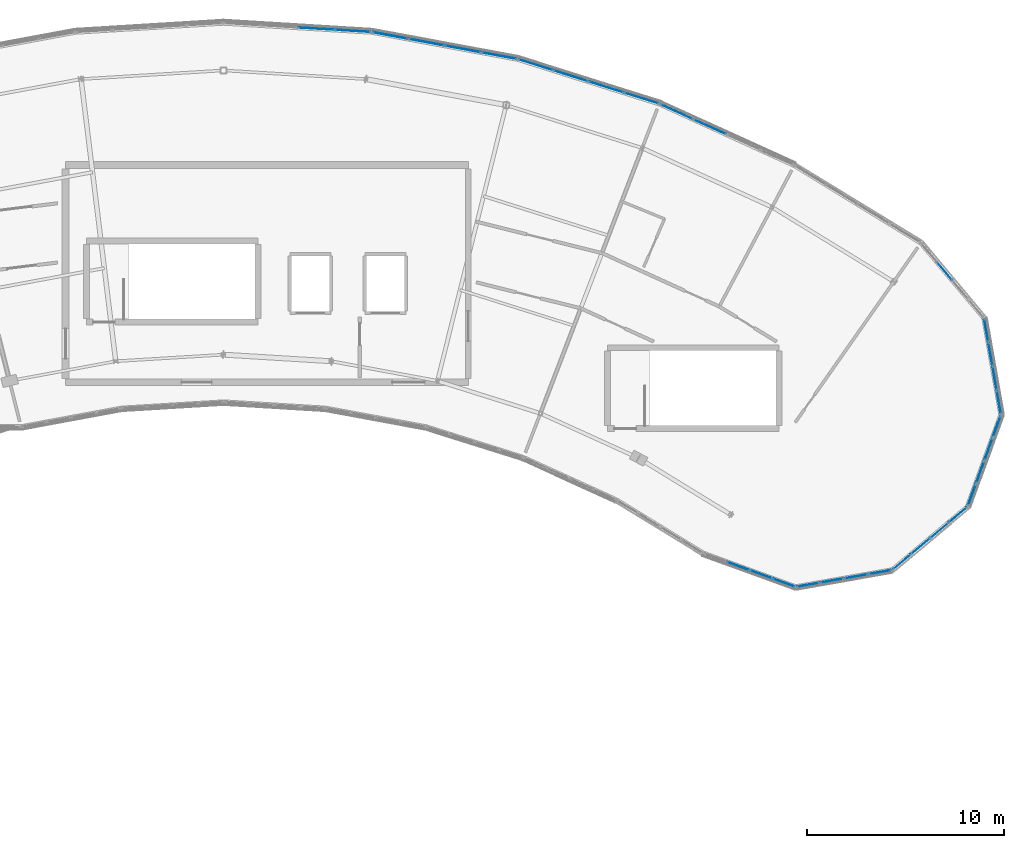
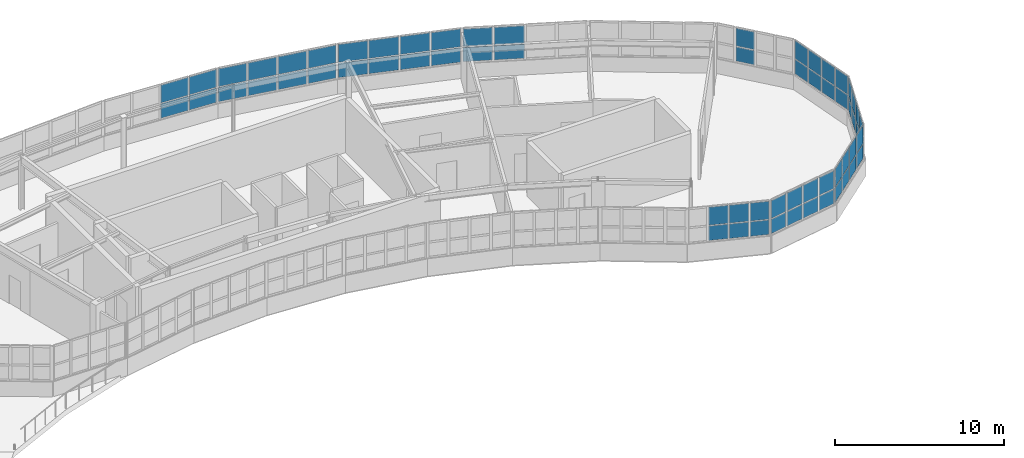
# One storey, part 18 of 26: 64 plates, 10 elements without a shape of their own.
"""IFC4 building model written with IfcOpenShell, lengths in metres."""

import ifcopenshell
import ifcopenshell.guid

model = None  # the IFC model being written
_history = None  # IfcOwnerHistory: only IFC2X3 demands one
_inside = {}  # id of a spatial element -> (the spatial element, [elements in it])
_under = {}  # id of a project, library or spatial element -> (it, [spatial elements below it])
_declared = {}  # id of a project -> (the project, [libraries it declares])
_typed = {}  # id of a type object -> (the type object, [elements of that type])
_made_of = {}  # id of a material, layer set ... -> (it, [elements and type objects made of it])


def new_model(schema):
    """Start an empty IFC model of exactly this schema.

    Asked for "IFC4X3", IfcOpenShell would pick the latest addendum, in which some entities
    have other attributes; the version numbers below select the first issue.
    IFC2X3 requires an IfcOwnerHistory on every rooted entity: one is made here for all.
    """
    global model, _history
    if schema == "IFC4X3":
        model = ifcopenshell.file(schema_version=(4, 3, 0, 0))
    else:
        model = ifcopenshell.file(schema=schema)
    _inside.clear()
    _under.clear()
    _declared.clear()
    _typed.clear()
    _made_of.clear()
    _history = None
    if model.schema == "IFC2X3":
        org = make("IfcOrganization", Name="unknown")
        user = make(
            "IfcPersonAndOrganization",
            ThePerson=make("IfcPerson", FamilyName="unknown"),
            TheOrganization=org,
        )
        app = make(
            "IfcApplication",
            ApplicationDeveloper=org,
            Version="unknown",
            ApplicationFullName="unknown",
            ApplicationIdentifier="unknown",
        )
        _history = make(
            "IfcOwnerHistory",
            OwningUser=user,
            OwningApplication=app,
            ChangeAction="ADDED",
            CreationDate=0,
        )
    return model


def make(cls, **values):
    """One entity of the class cls with the attributes given. An attribute that is None is left unset."""
    return model.create_entity(
        cls, **{name: value for name, value in values.items() if value is not None}
    )


def rooted(cls, **values):
    """An entity with a GlobalId (a new one), such as an element, a storey or a relation."""
    return make(cls, GlobalId=ifcopenshell.guid.new(), OwnerHistory=_history, **values)


def si_unit(unit_type, name, prefix=None):
    """IfcSIUnit, for example si_unit("LENGTHUNIT", "METRE", prefix="MILLI")."""
    return make("IfcSIUnit", UnitType=unit_type, Prefix=prefix, Name=name)


def assignment(units):
    """IfcUnitAssignment: the units of a project."""
    return None if units is None else make("IfcUnitAssignment", Units=units)


def point(xyz):
    """IfcCartesianPoint."""
    return None if xyz is None else make("IfcCartesianPoint", Coordinates=xyz)


def direction(xyz):
    """IfcDirection."""
    return None if xyz is None else make("IfcDirection", DirectionRatios=xyz)


def frame(location, z_axis=None, x_axis=None):
    """IfcAxis2Placement3D, a coordinate frame: its origin and axes. An axis left out is left unset."""
    return make(
        "IfcAxis2Placement3D",
        Location=point(location),
        Axis=direction(z_axis),
        RefDirection=direction(x_axis),
    )


def frame_2d(location, x_axis=None):
    """IfcAxis2Placement2D, a coordinate frame in the plane: its origin and x axis."""
    return make(
        "IfcAxis2Placement2D", Location=point(location), RefDirection=direction(x_axis)
    )


def origin():
    """The frame at (0, 0, 0) with its axes left unset."""
    return frame((0.0, 0.0, 0.0))


def origin_2d():
    """The frame at (0, 0) in the plane with its x axis left unset."""
    return frame_2d((0.0, 0.0))


def place(relative_to, where):
    """IfcLocalPlacement: puts the frame where relative to a parent placement (None: the world)."""
    return make(
        "IfcLocalPlacement", PlacementRelTo=relative_to, RelativePlacement=where
    )


def context(
    kind, dimensions, precision=None, world=None, true_north=None, identifier=None
):
    """IfcGeometricRepresentationContext, for example the 3D "Model" context."""
    return make(
        "IfcGeometricRepresentationContext",
        ContextIdentifier=identifier,
        ContextType=kind,
        CoordinateSpaceDimension=dimensions,
        Precision=precision,
        WorldCoordinateSystem=world,
        TrueNorth=true_north,
    )


def subcontext(parent, identifier, kind, view, scale=None):
    """IfcGeometricRepresentationSubContext, for example "Body" below "Model"."""
    return make(
        "IfcGeometricRepresentationSubContext",
        ContextIdentifier=identifier,
        ContextType=kind,
        ParentContext=parent,
        TargetScale=scale,
        TargetView=view,
    )


def project(units=None, contexts=None):
    """IfcProject with its units and contexts."""
    return rooted(
        "IfcProject",
        Name="project",
        RepresentationContexts=contexts,
        UnitsInContext=assignment(units),
    )


def spatial(cls, under=None, at=None, **own):
    """A site, building, storey or space (cls), placed at a placement, below another one or the project."""
    s = rooted(cls, ObjectPlacement=at, **own)
    if under is not None:
        _under.setdefault(under.id(), (under, []))[1].append(s)
    return s


def profile(cls, at=None, kind="AREA", **sizes):
    """A parametric profile (cls). Its sizes go by their IFC names, for example OverallWidth=200.0."""
    return make(cls, ProfileType=kind, Position=at, **sizes)


def rectangle(**sizes):
    """IfcRectangleProfileDef."""
    return profile("IfcRectangleProfileDef", **sizes)


def extrude(swept, where, along, depth):
    """IfcExtrudedAreaSolid: the profile swept, set in the frame where, extruded along a direction by depth."""
    return make(
        "IfcExtrudedAreaSolid",
        SweptArea=swept,
        Position=where,
        ExtrudedDirection=direction(along),
        Depth=depth,
    )


def shape(context_of_items, identifier, shape_type, items):
    """IfcShapeRepresentation: the items that make up one representation, for example the "Body"."""
    return make(
        "IfcShapeRepresentation",
        ContextOfItems=context_of_items,
        RepresentationIdentifier=identifier,
        RepresentationType=shape_type,
        Items=items,
    )


def material(Name=None, Category=None):
    """IfcMaterial."""
    return make("IfcMaterial", Name=Name, Category=Category)


def layer(
    of_material, thickness, ventilated=None, Name=None, Category=None, Priority=None
):
    """IfcMaterialLayer: one layer of a wall or slab, of a material (None: an air gap)."""
    return make(
        "IfcMaterialLayer",
        Material=of_material,
        LayerThickness=thickness,
        IsVentilated=ventilated,
        Name=Name,
        Category=Category,
        Priority=Priority,
    )


def layer_set(layers, Name=None):
    """IfcMaterialLayerSet."""
    return make("IfcMaterialLayerSet", MaterialLayers=layers, LayerSetName=Name)


def made_of(thing, what):
    """Note that an element or type object is made of a material, layer set ...; save() writes the relation."""
    if what is not None:
        _made_of.setdefault(what.id(), (what, []))[1].append(thing)
    return thing


def type_object(cls, material=None, **own):
    """A type object (cls), such as IfcWallType, which elements share."""
    return made_of(rooted(cls, **own), material)


def element(
    cls,
    number,
    at=None,
    inside=None,
    cuts=None,
    type_object=None,
    material=None,
    context=None,
    identifier="Body",
    shape_type=None,
    held_by="IfcProductDefinitionShape",
    body=None,
    shapes=None,
    **own,
):
    """One element of the class cls, such as IfcWall. Its Tag is "e" and its number.

    at: its placement. inside: the storey or other place that contains it. cuts: it is an
    opening in that element (IfcRelVoidsElement). A single representation is given by context,
    identifier, shape_type and body (its items); several are given by shapes. held_by: the class
    of the entity that holds the representations. save() writes the other relations.
    """
    e = rooted(cls, Tag="e%d" % number, ObjectPlacement=at, **own)
    if body is not None:
        shapes = [shape(context, identifier, shape_type, body)]
    if shapes is not None:
        e.Representation = make(held_by, Representations=shapes)
    if inside is not None:
        _inside.setdefault(inside.id(), (inside, []))[1].append(e)
    if cuts is not None:
        rooted(
            "IfcRelVoidsElement", RelatingBuildingElement=cuts, RelatedOpeningElement=e
        )
    if type_object is not None:
        _typed.setdefault(type_object.id(), (type_object, []))[1].append(e)
    return made_of(e, material)


def aggregate(whole, parts):
    """IfcRelAggregates: a whole, such as a stair, and the parts it consists of."""
    return rooted("IfcRelAggregates", RelatingObject=whole, RelatedObjects=parts)


def save(model, path):
    """Write the relations noted so far, then the file.

    IfcRelAggregates (storeys below a building ...), IfcRelContainedInSpatialStructure (elements
    in a storey), IfcRelDefinesByType, IfcRelAssociatesMaterial and IfcRelDeclares: one each for
    every whole, place, type object, material and project.
    """
    for whole, parts in _under.values():
        aggregate(whole, parts)
    for where, things in _inside.values():
        rooted(
            "IfcRelContainedInSpatialStructure",
            RelatedElements=things,
            RelatingStructure=where,
        )
    for kind, things in _typed.values():
        rooted("IfcRelDefinesByType", RelatedObjects=things, RelatingType=kind)
    for what, things in _made_of.values():
        rooted("IfcRelAssociatesMaterial", RelatedObjects=things, RelatingMaterial=what)
    for by, libraries in _declared.values():
        rooted("IfcRelDeclares", RelatingContext=by, RelatedDefinitions=libraries)
    model.write(path)


model = new_model("IFC4")

# Units and contexts
model_context = context("Model", 3, precision=1e-05, world=origin(), true_north=direction((0.0, 1.0)))
body_context = subcontext(model_context, "Body", "Model", "MODEL_VIEW")
ifc_project = project(units=[si_unit("LENGTHUNIT", "METRE"), si_unit("AREAUNIT", "SQUARE_METRE"), si_unit("VOLUMEUNIT", "CUBIC_METRE"), si_unit("PLANEANGLEUNIT", "RADIAN"), si_unit("MASSUNIT", "GRAM", prefix="KILO")], contexts=[model_context])

# Site, building, storey
site_placement = place(None, origin())
site = spatial("IfcSite", under=ifc_project, at=site_placement, CompositionType="ELEMENT")
building_placement = place(site_placement, origin())
building = spatial("IfcBuilding", under=site, at=building_placement, Name="Tarnwether General Hospital", CompositionType="ELEMENT")
storey_placement = place(building_placement, frame((0.0, 0.0, 30.0)))
storey = spatial("IfcBuildingStorey", under=building, at=storey_placement, Name="L07", CompositionType="ELEMENT", Elevation=30.0)

# Curtain wall, plates
ifc_material_1 = material(Name="Anodised aluminium", Category="aluminium")
ifc_layer_1 = layer(ifc_material_1, 0.159912109375)
ifc_layer_set_1 = layer_set([ifc_layer_1], Name="Anodised aluminium")
curtain_wall_type_1 = type_object("IfcCurtainWallType", Name="CW-03", PredefinedType="NOTDEFINED", material=ifc_layer_set_1)
curtain_wall_1_placement = place(storey_placement, origin())
curtain_wall_1 = element("IfcCurtainWall", 1, at=curtain_wall_1_placement, inside=storey, type_object=curtain_wall_type_1, Name="Curtain Wall CWG-L07-1259_969-0141", PredefinedType="NOTDEFINED")
ifc_material_2 = material(Name="Double glazed low-E glass", Category="glass")
ifc_layer_2 = layer(ifc_material_2, 0.028076171875)
ifc_layer_set_2 = layer_set([ifc_layer_2], Name="Double glazed low-E glass")
plate_type_1 = type_object("IfcPlateType", Name="PT-CWP1", PredefinedType="CURTAIN_PANEL", material=ifc_layer_set_2)
plate_1_placement = place(storey_placement, frame((125.25390625, 96.7841796875, 1.1201171875), z_axis=(0.0, 0.0, 1.0), x_axis=(-0.984805834268, -0.173659059054, 0.0)))
plate_1 = element("IfcPlate", 2, at=plate_1_placement, type_object=plate_type_1, Name="CW-03 panel 1.1", PredefinedType="CURTAIN_PANEL", context=body_context, shape_type="SweptSolid", body=[
    extrude(rectangle(XDim=1.137451171875, YDim=0.028076171875, at=origin_2d()), origin(), (0.0, 0.0, 1.0), 1.029052734375),
])
plate_2_placement = place(storey_placement, frame((125.25390625, 96.7841796875, 2.21923828125), z_axis=(0.0, 0.0, 1.0), x_axis=(-0.984805834268, -0.173659059054, 0.0)))
plate_2 = element("IfcPlate", 3, at=plate_2_placement, type_object=plate_type_1, Name="CW-03 panel 1.2", PredefinedType="CURTAIN_PANEL", context=body_context, shape_type="SweptSolid", body=[
    extrude(rectangle(XDim=1.137451171875, YDim=0.028076171875, at=origin_2d()), origin(), (0.0, 0.0, 1.0), 1.281005859375),
])
plate_3_placement = place(storey_placement, frame((124.0478515625, 96.5712890625, 1.1201171875), z_axis=(0.0, 0.0, 1.0), x_axis=(-0.984805834268, -0.173659059054, 0.0)))
plate_3 = element("IfcPlate", 4, at=plate_3_placement, type_object=plate_type_1, Name="CW-03 panel 2.1", PredefinedType="CURTAIN_PANEL", context=body_context, shape_type="SweptSolid", body=[
    extrude(rectangle(XDim=1.17236328125, YDim=0.028076171875, at=origin_2d()), origin(), (0.0, 0.0, 1.0), 1.029052734375),
])
plate_4_placement = place(storey_placement, frame((124.0478515625, 96.5712890625, 2.21923828125), z_axis=(0.0, 0.0, 1.0), x_axis=(-0.984805834268, -0.173659059054, 0.0)))
plate_4 = element("IfcPlate", 5, at=plate_4_placement, type_object=plate_type_1, Name="CW-03 panel 2.2", PredefinedType="CURTAIN_PANEL", context=body_context, shape_type="SweptSolid", body=[
    extrude(rectangle(XDim=1.17236328125, YDim=0.028076171875, at=origin_2d()), origin(), (0.0, 0.0, 1.0), 1.281005859375),
])
plate_5_placement = place(storey_placement, frame((122.82421875, 96.355712890625, 1.1201171875), z_axis=(0.0, 0.0, 1.0), x_axis=(-0.984805834268, -0.173659059054, 0.0)))
plate_5 = element("IfcPlate", 6, at=plate_5_placement, type_object=plate_type_1, Name="CW-03 panel 3.1", PredefinedType="CURTAIN_PANEL", context=body_context, shape_type="SweptSolid", body=[
    extrude(rectangle(XDim=1.17236328125, YDim=0.028076171875, at=origin_2d()), origin(), (0.0, 0.0, 1.0), 1.029052734375),
])
plate_6_placement = place(storey_placement, frame((122.82421875, 96.355712890625, 2.21923828125), z_axis=(0.0, 0.0, 1.0), x_axis=(-0.984805834268, -0.173659059054, 0.0)))
plate_6 = element("IfcPlate", 7, at=plate_6_placement, type_object=plate_type_1, Name="CW-03 panel 3.2", PredefinedType="CURTAIN_PANEL", context=body_context, shape_type="SweptSolid", body=[
    extrude(rectangle(XDim=1.17236328125, YDim=0.028076171875, at=origin_2d()), origin(), (0.0, 0.0, 1.0), 1.281005859375),
])
plate_7_placement = place(storey_placement, frame((121.617919921875, 96.142822265625, 1.1201171875), z_axis=(0.0, 0.0, 1.0), x_axis=(-0.984805834268, -0.173659059054, 0.0)))
plate_7 = element("IfcPlate", 8, at=plate_7_placement, type_object=plate_type_1, Name="CW-03 panel 4.1", PredefinedType="CURTAIN_PANEL", context=body_context, shape_type="SweptSolid", body=[
    extrude(rectangle(XDim=1.137451171875, YDim=0.028076171875, at=origin_2d()), origin(), (0.0, 0.0, 1.0), 1.029052734375),
])
plate_8_placement = place(storey_placement, frame((121.617919921875, 96.142822265625, 2.21923828125), z_axis=(0.0, 0.0, 1.0), x_axis=(-0.984805834268, -0.173659059054, 0.0)))
plate_8 = element("IfcPlate", 9, at=plate_8_placement, type_object=plate_type_1, Name="CW-03 panel 4.2", PredefinedType="CURTAIN_PANEL", context=body_context, shape_type="SweptSolid", body=[
    extrude(rectangle(XDim=1.137451171875, YDim=0.028076171875, at=origin_2d()), origin(), (0.0, 0.0, 1.0), 1.281005859375),
])
aggregate(curtain_wall_1, [plate_1, plate_2, plate_3, plate_4, plate_5, plate_6, plate_7, plate_8])

curtain_wall_2_placement = place(storey_placement, origin())
curtain_wall_2 = element("IfcCurtainWall", 10, at=curtain_wall_2_placement, inside=storey, type_object=curtain_wall_type_1, Name="Curtain Wall CWG-L07-1297_1001-0142", PredefinedType="NOTDEFINED")
plate_9_placement = place(storey_placement, frame((129.20166015625, 99.68017578125, 1.114990234375), z_axis=(0.0, 0.0, 1.0), x_axis=(-0.765990176896, -0.64285227611, 0.0)))
plate_9 = element("IfcPlate", 11, at=plate_9_placement, type_object=plate_type_1, Name="CW-03 panel 1.1", PredefinedType="CURTAIN_PANEL", context=body_context, shape_type="SweptSolid", body=[
    extrude(rectangle(XDim=1.14501953125, YDim=0.028076171875, at=origin_2d()), origin(), (0.0, 0.0, 1.0), 1.03662109375),
])
plate_10_placement = place(storey_placement, frame((129.20166015625, 99.68017578125, 2.216552734375), z_axis=(0.0, 0.0, 1.0), x_axis=(-0.765990176896, -0.64285227611, 0.0)))
plate_10 = element("IfcPlate", 12, at=plate_10_placement, type_object=plate_type_1, Name="CW-03 panel 1.2", PredefinedType="CURTAIN_PANEL", context=body_context, shape_type="SweptSolid", body=[
    extrude(rectangle(XDim=1.14501953125, YDim=0.028076171875, at=origin_2d()), origin(), (0.0, 0.0, 1.0), 1.28857421875),
])
plate_11_placement = place(storey_placement, frame((128.262451171875, 98.891845703125, 1.114990234375), z_axis=(0.0, 0.0, 1.0), x_axis=(-0.765990176896, -0.64285227611, 0.0)))
plate_11 = element("IfcPlate", 13, at=plate_11_placement, type_object=plate_type_1, Name="CW-03 panel 2.1", PredefinedType="CURTAIN_PANEL", context=body_context, shape_type="SweptSolid", body=[
    extrude(rectangle(XDim=1.177490234375, YDim=0.028076171875, at=origin_2d()), origin(), (0.0, 0.0, 1.0), 1.03662109375),
])
plate_12_placement = place(storey_placement, frame((128.262451171875, 98.891845703125, 2.216552734375), z_axis=(0.0, 0.0, 1.0), x_axis=(-0.765990176896, -0.64285227611, 0.0)))
plate_12 = element("IfcPlate", 14, at=plate_12_placement, type_object=plate_type_1, Name="CW-03 panel 2.2", PredefinedType="CURTAIN_PANEL", context=body_context, shape_type="SweptSolid", body=[
    extrude(rectangle(XDim=1.177490234375, YDim=0.028076171875, at=origin_2d()), origin(), (0.0, 0.0, 1.0), 1.28857421875),
])
plate_13_placement = place(storey_placement, frame((127.310546875, 98.093017578125, 1.114990234375), z_axis=(0.0, 0.0, 1.0), x_axis=(-0.765990176896, -0.64285227611, 0.0)))
plate_13 = element("IfcPlate", 15, at=plate_13_placement, type_object=plate_type_1, Name="CW-03 panel 3.1", PredefinedType="CURTAIN_PANEL", context=body_context, shape_type="SweptSolid", body=[
    extrude(rectangle(XDim=1.177490234375, YDim=0.028076171875, at=origin_2d()), origin(), (0.0, 0.0, 1.0), 1.03662109375),
])
plate_14_placement = place(storey_placement, frame((127.310546875, 98.093017578125, 2.216552734375), z_axis=(0.0, 0.0, 1.0), x_axis=(-0.765990176896, -0.64285227611, 0.0)))
plate_14 = element("IfcPlate", 16, at=plate_14_placement, type_object=plate_type_1, Name="CW-03 panel 3.2", PredefinedType="CURTAIN_PANEL", context=body_context, shape_type="SweptSolid", body=[
    extrude(rectangle(XDim=1.177490234375, YDim=0.028076171875, at=origin_2d()), origin(), (0.0, 0.0, 1.0), 1.28857421875),
])
plate_15_placement = place(storey_placement, frame((126.371337890625, 97.304931640625, 1.114990234375), z_axis=(0.0, 0.0, 1.0), x_axis=(-0.765990176896, -0.64285227611, 0.0)))
plate_15 = element("IfcPlate", 17, at=plate_15_placement, type_object=plate_type_1, Name="CW-03 panel 4.1", PredefinedType="CURTAIN_PANEL", context=body_context, shape_type="SweptSolid", body=[
    extrude(rectangle(XDim=1.14501953125, YDim=0.028076171875, at=origin_2d()), origin(), (0.0, 0.0, 1.0), 1.03662109375),
])
plate_16_placement = place(storey_placement, frame((126.371337890625, 97.304931640625, 2.216552734375), z_axis=(0.0, 0.0, 1.0), x_axis=(-0.765990176896, -0.64285227611, 0.0)))
plate_16 = element("IfcPlate", 18, at=plate_16_placement, type_object=plate_type_1, Name="CW-03 panel 4.2", PredefinedType="CURTAIN_PANEL", context=body_context, shape_type="SweptSolid", body=[
    extrude(rectangle(XDim=1.14501953125, YDim=0.028076171875, at=origin_2d()), origin(), (0.0, 0.0, 1.0), 1.28857421875),
])
aggregate(curtain_wall_2, [plate_9, plate_10, plate_11, plate_12, plate_13, plate_14, plate_15, plate_16])

curtain_wall_3_placement = place(storey_placement, origin())
curtain_wall_3 = element("IfcCurtainWall", 19, at=curtain_wall_3_placement, inside=storey, type_object=curtain_wall_type_1, Name="Curtain Wall CWG-L07-1305_1097-0144", PredefinedType="NOTDEFINED")
plate_17_placement = place(storey_placement, frame((130.637451171875, 109.0263671875, 1.110107421875), z_axis=(0.0, 0.0, 1.0), x_axis=(0.173463890135, -0.984840230098, 0.0)))
plate_17 = element("IfcPlate", 20, at=plate_17_placement, type_object=plate_type_1, Name="CW-03 panel 1.1", PredefinedType="CURTAIN_PANEL", context=body_context, shape_type="SweptSolid", body=[
    extrude(rectangle(XDim=1.15234375, YDim=0.028076171875, at=origin_2d()), origin(), (0.0, 0.0, 1.0), 1.0439453125),
])
plate_18_placement = place(storey_placement, frame((130.637451171875, 109.0263671875, 2.214111328125), z_axis=(0.0, 0.0, 1.0), x_axis=(0.173463890135, -0.984840230098, 0.0)))
plate_18 = element("IfcPlate", 21, at=plate_18_placement, type_object=plate_type_1, Name="CW-03 panel 1.2", PredefinedType="CURTAIN_PANEL", context=body_context, shape_type="SweptSolid", body=[
    extrude(rectangle(XDim=1.15234375, YDim=0.028076171875, at=origin_2d()), origin(), (0.0, 0.0, 1.0), 1.2958984375),
])
plate_19_placement = place(storey_placement, frame((130.850341796875, 107.81787109375, 1.110107421875), z_axis=(0.0, 0.0, 1.0), x_axis=(0.173463890135, -0.984840230098, 0.0)))
plate_19 = element("IfcPlate", 22, at=plate_19_placement, type_object=plate_type_1, Name="CW-03 panel 2.1", PredefinedType="CURTAIN_PANEL", context=body_context, shape_type="SweptSolid", body=[
    extrude(rectangle(XDim=1.182373046875, YDim=0.028076171875, at=origin_2d()), origin(), (0.0, 0.0, 1.0), 1.0439453125),
])
plate_20_placement = place(storey_placement, frame((130.850341796875, 107.81787109375, 2.214111328125), z_axis=(0.0, 0.0, 1.0), x_axis=(0.173463890135, -0.984840230098, 0.0)))
plate_20 = element("IfcPlate", 23, at=plate_20_placement, type_object=plate_type_1, Name="CW-03 panel 2.2", PredefinedType="CURTAIN_PANEL", context=body_context, shape_type="SweptSolid", body=[
    extrude(rectangle(XDim=1.182373046875, YDim=0.028076171875, at=origin_2d()), origin(), (0.0, 0.0, 1.0), 1.2958984375),
])
plate_21_placement = place(storey_placement, frame((131.065673828125, 106.59423828125, 1.110107421875), z_axis=(0.0, 0.0, 1.0), x_axis=(0.173463890135, -0.984840230098, 0.0)))
plate_21 = element("IfcPlate", 24, at=plate_21_placement, type_object=plate_type_1, Name="CW-03 panel 3.1", PredefinedType="CURTAIN_PANEL", context=body_context, shape_type="SweptSolid", body=[
    extrude(rectangle(XDim=1.182373046875, YDim=0.028076171875, at=origin_2d()), origin(), (0.0, 0.0, 1.0), 1.0439453125),
])
plate_22_placement = place(storey_placement, frame((131.065673828125, 106.59423828125, 2.214111328125), z_axis=(0.0, 0.0, 1.0), x_axis=(0.173463890135, -0.984840230098, 0.0)))
plate_22 = element("IfcPlate", 25, at=plate_22_placement, type_object=plate_type_1, Name="CW-03 panel 3.2", PredefinedType="CURTAIN_PANEL", context=body_context, shape_type="SweptSolid", body=[
    extrude(rectangle(XDim=1.182373046875, YDim=0.028076171875, at=origin_2d()), origin(), (0.0, 0.0, 1.0), 1.2958984375),
])
plate_23_placement = place(storey_placement, frame((131.278564453125, 105.385498046875, 1.110107421875), z_axis=(0.0, 0.0, 1.0), x_axis=(0.173463890135, -0.984840230098, 0.0)))
plate_23 = element("IfcPlate", 26, at=plate_23_placement, type_object=plate_type_1, Name="CW-03 panel 4.1", PredefinedType="CURTAIN_PANEL", context=body_context, shape_type="SweptSolid", body=[
    extrude(rectangle(XDim=1.15234375, YDim=0.028076171875, at=origin_2d()), origin(), (0.0, 0.0, 1.0), 1.0439453125),
])
plate_24_placement = place(storey_placement, frame((131.278564453125, 105.385498046875, 2.214111328125), z_axis=(0.0, 0.0, 1.0), x_axis=(0.173463890135, -0.984840230098, 0.0)))
plate_24 = element("IfcPlate", 27, at=plate_24_placement, type_object=plate_type_1, Name="CW-03 panel 4.2", PredefinedType="CURTAIN_PANEL", context=body_context, shape_type="SweptSolid", body=[
    extrude(rectangle(XDim=1.15234375, YDim=0.028076171875, at=origin_2d()), origin(), (0.0, 0.0, 1.0), 1.2958984375),
])
aggregate(curtain_wall_3, [plate_17, plate_18, plate_19, plate_20, plate_21, plate_22, plate_23, plate_24])

curtain_wall_4_placement = place(storey_placement, origin())
curtain_wall_4 = element("IfcCurtainWall", 28, at=curtain_wall_4_placement, inside=storey, type_object=curtain_wall_type_1, Name="Curtain Wall CWG-L07-1273_1135-0145", PredefinedType="NOTDEFINED")
plate_25_placement = place(storey_placement, frame((128.530029296875, 112.032470703125, 1.1201171875), z_axis=(0.0, 0.0, 1.0), x_axis=(0.64285227611, -0.765990176896, 0.0)))
plate_25 = element("IfcPlate", 29, at=plate_25_placement, type_object=plate_type_1, Name="CW-03 panel 2.1", PredefinedType="CURTAIN_PANEL", context=body_context, shape_type="SweptSolid", body=[
    extrude(rectangle(XDim=1.172607421875, YDim=0.028076171875, at=origin_2d()), origin(), (0.0, 0.0, 1.0), 1.029052734375),
])
plate_26_placement = place(storey_placement, frame((128.530029296875, 112.032470703125, 2.21923828125), z_axis=(0.0, 0.0, 1.0), x_axis=(0.64285227611, -0.765990176896, 0.0)))
plate_26 = element("IfcPlate", 30, at=plate_26_placement, type_object=plate_type_1, Name="CW-03 panel 2.2", PredefinedType="CURTAIN_PANEL", context=body_context, shape_type="SweptSolid", body=[
    extrude(rectangle(XDim=1.172607421875, YDim=0.028076171875, at=origin_2d()), origin(), (0.0, 0.0, 1.0), 1.281005859375),
])
aggregate(curtain_wall_4, [plate_25, plate_26])

ifc_material_3 = material(Name="Anodised aluminium", Category="aluminium")
ifc_layer_3 = layer(ifc_material_3, 0.179931640625)
ifc_layer_set_3 = layer_set([ifc_layer_3], Name="Anodised aluminium")
curtain_wall_type_2 = type_object("IfcCurtainWallType", Name="CW-07", PredefinedType="NOTDEFINED", material=ifc_layer_set_3)
curtain_wall_5_placement = place(storey_placement, origin())
curtain_wall_5 = element("IfcCurtainWall", 31, at=curtain_wall_5_placement, inside=storey, type_object=curtain_wall_type_2, Name="Curtain Wall CWG-L07-1141_1205-0147", PredefinedType="NOTDEFINED")
plate_27_placement = place(storey_placement, frame((114.94873046875, 120.11083984375, 1.1298828125), z_axis=(0.0, 0.0, 1.0), x_axis=(0.909960793886, -0.414694289316, 0.0)))
plate_27 = element("IfcPlate", 32, at=plate_27_placement, type_object=plate_type_1, Name="CW-07 panel 1.1", PredefinedType="CURTAIN_PANEL", context=body_context, shape_type="SweptSolid", body=[
    extrude(rectangle(XDim=1.76025390625, YDim=0.028076171875, at=origin_2d()), origin(), (0.0, 0.0, 1.0), 1.013916015625),
])
plate_28_placement = place(storey_placement, frame((114.94873046875, 120.11083984375, 2.223876953125), z_axis=(0.0, 0.0, 1.0), x_axis=(0.909960793886, -0.414694289316, 0.0)))
plate_28 = element("IfcPlate", 33, at=plate_28_placement, type_object=plate_type_1, Name="CW-07 panel 1.2", PredefinedType="CURTAIN_PANEL", context=body_context, shape_type="SweptSolid", body=[
    extrude(rectangle(XDim=1.76025390625, YDim=0.028076171875, at=origin_2d()), origin(), (0.0, 0.0, 1.0), 1.26611328125),
])
plate_29_placement = place(storey_placement, frame((116.6416015625, 119.33935546875, 1.1298828125), z_axis=(0.0, 0.0, 1.0), x_axis=(0.909960793886, -0.414694289316, 0.0)))
plate_29 = element("IfcPlate", 34, at=plate_29_placement, type_object=plate_type_1, Name="CW-07 panel 2.1", PredefinedType="CURTAIN_PANEL", context=body_context, shape_type="SweptSolid", body=[
    extrude(rectangle(XDim=1.80029296875, YDim=0.028076171875, at=origin_2d()), origin(), (0.0, 0.0, 1.0), 1.013916015625),
])
plate_30_placement = place(storey_placement, frame((116.6416015625, 119.33935546875, 2.223876953125), z_axis=(0.0, 0.0, 1.0), x_axis=(0.909960793886, -0.414694289316, 0.0)))
plate_30 = element("IfcPlate", 35, at=plate_30_placement, type_object=plate_type_1, Name="CW-07 panel 2.2", PredefinedType="CURTAIN_PANEL", context=body_context, shape_type="SweptSolid", body=[
    extrude(rectangle(XDim=1.80029296875, YDim=0.028076171875, at=origin_2d()), origin(), (0.0, 0.0, 1.0), 1.26611328125),
])
aggregate(curtain_wall_5, [plate_27, plate_28, plate_29, plate_30])

curtain_wall_6_placement = place(storey_placement, origin())
curtain_wall_6 = element("IfcCurtainWall", 36, at=curtain_wall_6_placement, inside=storey, type_object=curtain_wall_type_2, Name="Curtain Wall CWG-L07-1069_1228-0148", PredefinedType="NOTDEFINED")
plate_31_placement = place(storey_placement, frame((107.81298828125, 122.48291015625, 1.110107421875), z_axis=(0.0, 0.0, 1.0), x_axis=(0.953741284032, -0.300628613299, 0.0)))
plate_31 = element("IfcPlate", 37, at=plate_31_placement, type_object=plate_type_1, Name="CW-07 panel 1.1", PredefinedType="CURTAIN_PANEL", context=body_context, shape_type="SweptSolid", body=[
    extrude(rectangle(XDim=1.790283203125, YDim=0.028076171875, at=origin_2d()), origin(), (0.0, 0.0, 1.0), 1.0439453125),
])
plate_32_placement = place(storey_placement, frame((107.81298828125, 122.48291015625, 2.214111328125), z_axis=(0.0, 0.0, 1.0), x_axis=(0.953741284032, -0.300628613299, 0.0)))
plate_32 = element("IfcPlate", 38, at=plate_32_placement, type_object=plate_type_1, Name="CW-07 panel 1.2", PredefinedType="CURTAIN_PANEL", context=body_context, shape_type="SweptSolid", body=[
    extrude(rectangle(XDim=1.790283203125, YDim=0.028076171875, at=origin_2d()), origin(), (0.0, 0.0, 1.0), 1.2958984375),
])
plate_33_placement = place(storey_placement, frame((109.591796875, 121.922119140625, 1.110107421875), z_axis=(0.0, 0.0, 1.0), x_axis=(0.953741284032, -0.300628613299, 0.0)))
plate_33 = element("IfcPlate", 39, at=plate_33_placement, type_object=plate_type_1, Name="CW-07 panel 2.1", PredefinedType="CURTAIN_PANEL", context=body_context, shape_type="SweptSolid", body=[
    extrude(rectangle(XDim=1.8203125, YDim=0.028076171875, at=origin_2d()), origin(), (0.0, 0.0, 1.0), 1.0439453125),
])
plate_34_placement = place(storey_placement, frame((109.591796875, 121.922119140625, 2.214111328125), z_axis=(0.0, 0.0, 1.0), x_axis=(0.953741284032, -0.300628613299, 0.0)))
plate_34 = element("IfcPlate", 40, at=plate_34_placement, type_object=plate_type_1, Name="CW-07 panel 2.2", PredefinedType="CURTAIN_PANEL", context=body_context, shape_type="SweptSolid", body=[
    extrude(rectangle(XDim=1.8203125, YDim=0.028076171875, at=origin_2d()), origin(), (0.0, 0.0, 1.0), 1.2958984375),
])
plate_35_placement = place(storey_placement, frame((111.385009765625, 121.35693359375, 1.110107421875), z_axis=(0.0, 0.0, 1.0), x_axis=(0.953741284032, -0.300628613299, 0.0)))
plate_35 = element("IfcPlate", 41, at=plate_35_placement, type_object=plate_type_1, Name="CW-07 panel 3.1", PredefinedType="CURTAIN_PANEL", context=body_context, shape_type="SweptSolid", body=[
    extrude(rectangle(XDim=1.8203125, YDim=0.028076171875, at=origin_2d()), origin(), (0.0, 0.0, 1.0), 1.0439453125),
])
plate_36_placement = place(storey_placement, frame((111.385009765625, 121.35693359375, 2.214111328125), z_axis=(0.0, 0.0, 1.0), x_axis=(0.953741284032, -0.300628613299, 0.0)))
plate_36 = element("IfcPlate", 42, at=plate_36_placement, type_object=plate_type_1, Name="CW-07 panel 3.2", PredefinedType="CURTAIN_PANEL", context=body_context, shape_type="SweptSolid", body=[
    extrude(rectangle(XDim=1.8203125, YDim=0.028076171875, at=origin_2d()), origin(), (0.0, 0.0, 1.0), 1.2958984375),
])
plate_37_placement = place(storey_placement, frame((113.1640625, 120.796142578125, 1.110107421875), z_axis=(0.0, 0.0, 1.0), x_axis=(0.953741284032, -0.300628613299, 0.0)))
plate_37 = element("IfcPlate", 43, at=plate_37_placement, type_object=plate_type_1, Name="CW-07 panel 4.1", PredefinedType="CURTAIN_PANEL", context=body_context, shape_type="SweptSolid", body=[
    extrude(rectangle(XDim=1.790283203125, YDim=0.028076171875, at=origin_2d()), origin(), (0.0, 0.0, 1.0), 1.0439453125),
])
plate_38_placement = place(storey_placement, frame((113.1640625, 120.796142578125, 2.214111328125), z_axis=(0.0, 0.0, 1.0), x_axis=(0.953741284032, -0.300628613299, 0.0)))
plate_38 = element("IfcPlate", 44, at=plate_38_placement, type_object=plate_type_1, Name="CW-07 panel 4.2", PredefinedType="CURTAIN_PANEL", context=body_context, shape_type="SweptSolid", body=[
    extrude(rectangle(XDim=1.790283203125, YDim=0.028076171875, at=origin_2d()), origin(), (0.0, 0.0, 1.0), 1.2958984375),
])
aggregate(curtain_wall_6, [plate_31, plate_32, plate_33, plate_34, plate_35, plate_36, plate_37, plate_38])

curtain_wall_7_placement = place(storey_placement, origin())
curtain_wall_7 = element("IfcCurtainWall", 45, at=curtain_wall_7_placement, inside=storey, type_object=curtain_wall_type_2, Name="Curtain Wall CWG-L07-920_1246-0150", PredefinedType="NOTDEFINED")
plate_39_placement = place(storey_placement, frame((96.69189453125, 124.313232421875, 1.114990234375), z_axis=(0.0, 0.0, 1.0), x_axis=(0.998135995608, -0.061028962567, 0.0)))
plate_39 = element("IfcPlate", 46, at=plate_39_placement, type_object=plate_type_1, Name="CW-07 panel 3.1", PredefinedType="CURTAIN_PANEL", context=body_context, shape_type="SweptSolid", body=[
    extrude(rectangle(XDim=1.815185546875, YDim=0.028076171875, at=origin_2d()), origin(), (0.0, 0.0, 1.0), 1.03662109375),
])
plate_40_placement = place(storey_placement, frame((96.69189453125, 124.313232421875, 2.216552734375), z_axis=(0.0, 0.0, 1.0), x_axis=(0.998135995608, -0.061028962567, 0.0)))
plate_40 = element("IfcPlate", 47, at=plate_40_placement, type_object=plate_type_1, Name="CW-07 panel 3.2", PredefinedType="CURTAIN_PANEL", context=body_context, shape_type="SweptSolid", body=[
    extrude(rectangle(XDim=1.815185546875, YDim=0.028076171875, at=origin_2d()), origin(), (0.0, 0.0, 1.0), 1.28857421875),
])
plate_41_placement = place(storey_placement, frame((98.552490234375, 124.199462890625, 1.114990234375), z_axis=(0.0, 0.0, 1.0), x_axis=(0.998135995608, -0.061028962567, 0.0)))
plate_41 = element("IfcPlate", 48, at=plate_41_placement, type_object=plate_type_1, Name="CW-07 panel 4.1", PredefinedType="CURTAIN_PANEL", context=body_context, shape_type="SweptSolid", body=[
    extrude(rectangle(XDim=1.78271484375, YDim=0.028076171875, at=origin_2d()), origin(), (0.0, 0.0, 1.0), 1.03662109375),
])
plate_42_placement = place(storey_placement, frame((98.552490234375, 124.199462890625, 2.216552734375), z_axis=(0.0, 0.0, 1.0), x_axis=(0.998135995608, -0.061028962567, 0.0)))
plate_42 = element("IfcPlate", 49, at=plate_42_placement, type_object=plate_type_1, Name="CW-07 panel 4.2", PredefinedType="CURTAIN_PANEL", context=body_context, shape_type="SweptSolid", body=[
    extrude(rectangle(XDim=1.78271484375, YDim=0.028076171875, at=origin_2d()), origin(), (0.0, 0.0, 1.0), 1.28857421875),
])
aggregate(curtain_wall_7, [plate_39, plate_40, plate_41, plate_42])

curtain_wall_8_placement = place(storey_placement, origin())
curtain_wall_8 = element("IfcCurtainWall", 50, at=curtain_wall_8_placement, inside=storey, type_object=curtain_wall_type_1, Name="Curtain Wall CWG-L07-1210_960-0140", PredefinedType="NOTDEFINED")
ifc_material_4 = material(Name="Double glazed low-E glass", Category="glass")
ifc_layer_4 = layer(ifc_material_4, 0.035888671875)
ifc_layer_set_4 = layer_set([ifc_layer_4], Name="Double glazed low-E glass")
plate_type_2 = type_object("IfcPlateType", Name="PT-CWP2", PredefinedType="CURTAIN_PANEL", material=ifc_layer_set_4)
plate_43_placement = place(storey_placement, frame((120.391357421875, 96.24951171875, 1.110107421875), z_axis=(0.0, 0.0, 1.0), x_axis=(-0.939652319163, 0.342130850834, 0.0)))
plate_43 = element("IfcPlate", 51, at=plate_43_placement, type_object=plate_type_2, Name="CW-03 panel 1.1", PredefinedType="CURTAIN_PANEL", context=body_context, shape_type="SweptSolid", body=[
    extrude(rectangle(XDim=1.152099609375, YDim=0.035888671875, at=origin_2d()), origin(), (0.0, 0.0, 1.0), 1.0439453125),
])
plate_44_placement = place(storey_placement, frame((120.391357421875, 96.24951171875, 2.214111328125), z_axis=(0.0, 0.0, 1.0), x_axis=(-0.939652319163, 0.342130850834, 0.0)))
plate_44 = element("IfcPlate", 52, at=plate_44_placement, type_object=plate_type_2, Name="CW-03 panel 1.2", PredefinedType="CURTAIN_PANEL", context=body_context, shape_type="SweptSolid", body=[
    extrude(rectangle(XDim=1.152099609375, YDim=0.035888671875, at=origin_2d()), origin(), (0.0, 0.0, 1.0), 1.2958984375),
])
plate_45_placement = place(storey_placement, frame((119.238037109375, 96.66943359375, 1.110107421875), z_axis=(0.0, 0.0, 1.0), x_axis=(-0.939652319163, 0.342130850834, 0.0)))
plate_45 = element("IfcPlate", 53, at=plate_45_placement, type_object=plate_type_2, Name="CW-03 panel 2.1", PredefinedType="CURTAIN_PANEL", context=body_context, shape_type="SweptSolid", body=[
    extrude(rectangle(XDim=1.18212890625, YDim=0.035888671875, at=origin_2d()), origin(), (0.0, 0.0, 1.0), 1.0439453125),
])
plate_46_placement = place(storey_placement, frame((119.238037109375, 96.66943359375, 2.214111328125), z_axis=(0.0, 0.0, 1.0), x_axis=(-0.939652319163, 0.342130850834, 0.0)))
plate_46 = element("IfcPlate", 54, at=plate_46_placement, type_object=plate_type_2, Name="CW-03 panel 2.2", PredefinedType="CURTAIN_PANEL", context=body_context, shape_type="SweptSolid", body=[
    extrude(rectangle(XDim=1.18212890625, YDim=0.035888671875, at=origin_2d()), origin(), (0.0, 0.0, 1.0), 1.2958984375),
])
plate_47_placement = place(storey_placement, frame((118.07080078125, 97.094482421875, 1.110107421875), z_axis=(0.0, 0.0, 1.0), x_axis=(-0.939652319163, 0.342130850834, 0.0)))
plate_47 = element("IfcPlate", 55, at=plate_47_placement, type_object=plate_type_2, Name="CW-03 panel 3.1", PredefinedType="CURTAIN_PANEL", context=body_context, shape_type="SweptSolid", body=[
    extrude(rectangle(XDim=1.18212890625, YDim=0.035888671875, at=origin_2d()), origin(), (0.0, 0.0, 1.0), 1.0439453125),
])
plate_48_placement = place(storey_placement, frame((118.07080078125, 97.094482421875, 2.214111328125), z_axis=(0.0, 0.0, 1.0), x_axis=(-0.939652319163, 0.342130850834, 0.0)))
plate_48 = element("IfcPlate", 56, at=plate_48_placement, type_object=plate_type_2, Name="CW-03 panel 3.2", PredefinedType="CURTAIN_PANEL", context=body_context, shape_type="SweptSolid", body=[
    extrude(rectangle(XDim=1.18212890625, YDim=0.035888671875, at=origin_2d()), origin(), (0.0, 0.0, 1.0), 1.2958984375),
])
aggregate(curtain_wall_8, [plate_43, plate_44, plate_45, plate_46, plate_47, plate_48])

curtain_wall_9_placement = place(storey_placement, origin())
curtain_wall_9 = element("IfcCurtainWall", 57, at=curtain_wall_9_placement, inside=storey, type_object=curtain_wall_type_1, Name="Curtain Wall CWG-L07-1314_1048-0143", PredefinedType="NOTDEFINED")
plate_49_placement = place(storey_placement, frame((131.169677734375, 104.156494140625, 1.1298828125), z_axis=(0.0, 0.0, 1.0), x_axis=(-0.341953136469, -0.939717006582, 0.0)))
plate_49 = element("IfcPlate", 58, at=plate_49_placement, type_object=plate_type_2, Name="CW-03 panel 1.1", PredefinedType="CURTAIN_PANEL", context=body_context, shape_type="SweptSolid", body=[
    extrude(rectangle(XDim=1.1220703125, YDim=0.035888671875, at=origin_2d()), origin(), (0.0, 0.0, 1.0), 1.013916015625),
])
plate_50_placement = place(storey_placement, frame((131.169677734375, 104.156494140625, 2.223876953125), z_axis=(0.0, 0.0, 1.0), x_axis=(-0.341953136469, -0.939717006582, 0.0)))
plate_50 = element("IfcPlate", 59, at=plate_50_placement, type_object=plate_type_2, Name="CW-03 panel 1.2", PredefinedType="CURTAIN_PANEL", context=body_context, shape_type="SweptSolid", body=[
    extrude(rectangle(XDim=1.1220703125, YDim=0.035888671875, at=origin_2d()), origin(), (0.0, 0.0, 1.0), 1.26611328125),
])
plate_51_placement = place(storey_placement, frame((130.751953125, 103.008056640625, 1.1298828125), z_axis=(0.0, 0.0, 1.0), x_axis=(-0.341953136469, -0.939717006582, 0.0)))
plate_51 = element("IfcPlate", 60, at=plate_51_placement, type_object=plate_type_2, Name="CW-03 panel 2.1", PredefinedType="CURTAIN_PANEL", context=body_context, shape_type="SweptSolid", body=[
    extrude(rectangle(XDim=1.162109375, YDim=0.035888671875, at=origin_2d()), origin(), (0.0, 0.0, 1.0), 1.013916015625),
])
plate_52_placement = place(storey_placement, frame((130.751953125, 103.008056640625, 2.223876953125), z_axis=(0.0, 0.0, 1.0), x_axis=(-0.341953136469, -0.939717006582, 0.0)))
plate_52 = element("IfcPlate", 61, at=plate_52_placement, type_object=plate_type_2, Name="CW-03 panel 2.2", PredefinedType="CURTAIN_PANEL", context=body_context, shape_type="SweptSolid", body=[
    extrude(rectangle(XDim=1.162109375, YDim=0.035888671875, at=origin_2d()), origin(), (0.0, 0.0, 1.0), 1.26611328125),
])
plate_53_placement = place(storey_placement, frame((130.3271484375, 101.8408203125, 1.1298828125), z_axis=(0.0, 0.0, 1.0), x_axis=(-0.341953136469, -0.939717006582, 0.0)))
plate_53 = element("IfcPlate", 62, at=plate_53_placement, type_object=plate_type_2, Name="CW-03 panel 3.1", PredefinedType="CURTAIN_PANEL", context=body_context, shape_type="SweptSolid", body=[
    extrude(rectangle(XDim=1.162109375, YDim=0.035888671875, at=origin_2d()), origin(), (0.0, 0.0, 1.0), 1.013916015625),
])
plate_54_placement = place(storey_placement, frame((130.3271484375, 101.8408203125, 2.223876953125), z_axis=(0.0, 0.0, 1.0), x_axis=(-0.341953136469, -0.939717006582, 0.0)))
plate_54 = element("IfcPlate", 63, at=plate_54_placement, type_object=plate_type_2, Name="CW-03 panel 3.2", PredefinedType="CURTAIN_PANEL", context=body_context, shape_type="SweptSolid", body=[
    extrude(rectangle(XDim=1.162109375, YDim=0.035888671875, at=origin_2d()), origin(), (0.0, 0.0, 1.0), 1.26611328125),
])
plate_55_placement = place(storey_placement, frame((129.9091796875, 100.6923828125, 1.1298828125), z_axis=(0.0, 0.0, 1.0), x_axis=(-0.341953136469, -0.939717006582, 0.0)))
plate_55 = element("IfcPlate", 64, at=plate_55_placement, type_object=plate_type_2, Name="CW-03 panel 4.1", PredefinedType="CURTAIN_PANEL", context=body_context, shape_type="SweptSolid", body=[
    extrude(rectangle(XDim=1.1220703125, YDim=0.035888671875, at=origin_2d()), origin(), (0.0, 0.0, 1.0), 1.013916015625),
])
plate_56_placement = place(storey_placement, frame((129.9091796875, 100.6923828125, 2.223876953125), z_axis=(0.0, 0.0, 1.0), x_axis=(-0.341953136469, -0.939717006582, 0.0)))
plate_56 = element("IfcPlate", 65, at=plate_56_placement, type_object=plate_type_2, Name="CW-03 panel 4.2", PredefinedType="CURTAIN_PANEL", context=body_context, shape_type="SweptSolid", body=[
    extrude(rectangle(XDim=1.1220703125, YDim=0.035888671875, at=origin_2d()), origin(), (0.0, 0.0, 1.0), 1.26611328125),
])
aggregate(curtain_wall_9, [plate_49, plate_50, plate_51, plate_52, plate_53, plate_54, plate_55, plate_56])

curtain_wall_10_placement = place(storey_placement, origin())
curtain_wall_10 = element("IfcCurtainWall", 66, at=curtain_wall_10_placement, inside=storey, type_object=curtain_wall_type_2, Name="Curtain Wall CWG-L07-995_1241-0149", PredefinedType="NOTDEFINED")
plate_57_placement = place(storey_placement, frame((100.448486328125, 123.966552734375, 1.1201171875), z_axis=(0.0, 0.0, 1.0), x_axis=(0.983244953132, -0.182289226614, 0.0)))
plate_57 = element("IfcPlate", 67, at=plate_57_placement, type_object=plate_type_2, Name="CW-07 panel 1.1", PredefinedType="CURTAIN_PANEL", context=body_context, shape_type="SweptSolid", body=[
    extrude(rectangle(XDim=1.775146484375, YDim=0.035888671875, at=origin_2d()), origin(), (0.0, 0.0, 1.0), 1.029052734375),
])
plate_58_placement = place(storey_placement, frame((100.448486328125, 123.966552734375, 2.21923828125), z_axis=(0.0, 0.0, 1.0), x_axis=(0.983244953132, -0.182289226614, 0.0)))
plate_58 = element("IfcPlate", 68, at=plate_58_placement, type_object=plate_type_2, Name="CW-07 panel 1.2", PredefinedType="CURTAIN_PANEL", context=body_context, shape_type="SweptSolid", body=[
    extrude(rectangle(XDim=1.775146484375, YDim=0.035888671875, at=origin_2d()), origin(), (0.0, 0.0, 1.0), 1.281005859375),
])
plate_59_placement = place(storey_placement, frame((102.280029296875, 123.626953125, 1.1201171875), z_axis=(0.0, 0.0, 1.0), x_axis=(0.983244953132, -0.182289226614, 0.0)))
plate_59 = element("IfcPlate", 69, at=plate_59_placement, type_object=plate_type_2, Name="CW-07 panel 2.1", PredefinedType="CURTAIN_PANEL", context=body_context, shape_type="SweptSolid", body=[
    extrude(rectangle(XDim=1.810302734375, YDim=0.035888671875, at=origin_2d()), origin(), (0.0, 0.0, 1.0), 1.029052734375),
])
plate_60_placement = place(storey_placement, frame((102.280029296875, 123.626953125, 2.21923828125), z_axis=(0.0, 0.0, 1.0), x_axis=(0.983244953132, -0.182289226614, 0.0)))
plate_60 = element("IfcPlate", 70, at=plate_60_placement, type_object=plate_type_2, Name="CW-07 panel 2.2", PredefinedType="CURTAIN_PANEL", context=body_context, shape_type="SweptSolid", body=[
    extrude(rectangle(XDim=1.810302734375, YDim=0.035888671875, at=origin_2d()), origin(), (0.0, 0.0, 1.0), 1.281005859375),
])
plate_61_placement = place(storey_placement, frame((104.12890625, 123.2841796875, 1.1201171875), z_axis=(0.0, 0.0, 1.0), x_axis=(0.983244953132, -0.182289226614, 0.0)))
plate_61 = element("IfcPlate", 71, at=plate_61_placement, type_object=plate_type_2, Name="CW-07 panel 3.1", PredefinedType="CURTAIN_PANEL", context=body_context, shape_type="SweptSolid", body=[
    extrude(rectangle(XDim=1.810302734375, YDim=0.035888671875, at=origin_2d()), origin(), (0.0, 0.0, 1.0), 1.029052734375),
])
plate_62_placement = place(storey_placement, frame((104.12890625, 123.2841796875, 2.21923828125), z_axis=(0.0, 0.0, 1.0), x_axis=(0.983244953132, -0.182289226614, 0.0)))
plate_62 = element("IfcPlate", 72, at=plate_62_placement, type_object=plate_type_2, Name="CW-07 panel 3.2", PredefinedType="CURTAIN_PANEL", context=body_context, shape_type="SweptSolid", body=[
    extrude(rectangle(XDim=1.810302734375, YDim=0.035888671875, at=origin_2d()), origin(), (0.0, 0.0, 1.0), 1.281005859375),
])
plate_63_placement = place(storey_placement, frame((105.96044921875, 122.944580078125, 1.1201171875), z_axis=(0.0, 0.0, 1.0), x_axis=(0.983244953132, -0.182289226614, 0.0)))
plate_63 = element("IfcPlate", 73, at=plate_63_placement, type_object=plate_type_2, Name="CW-07 panel 4.1", PredefinedType="CURTAIN_PANEL", context=body_context, shape_type="SweptSolid", body=[
    extrude(rectangle(XDim=1.775146484375, YDim=0.035888671875, at=origin_2d()), origin(), (0.0, 0.0, 1.0), 1.029052734375),
])
plate_64_placement = place(storey_placement, frame((105.96044921875, 122.944580078125, 2.21923828125), z_axis=(0.0, 0.0, 1.0), x_axis=(0.983244953132, -0.182289226614, 0.0)))
plate_64 = element("IfcPlate", 74, at=plate_64_placement, type_object=plate_type_2, Name="CW-07 panel 4.2", PredefinedType="CURTAIN_PANEL", context=body_context, shape_type="SweptSolid", body=[
    extrude(rectangle(XDim=1.775146484375, YDim=0.035888671875, at=origin_2d()), origin(), (0.0, 0.0, 1.0), 1.281005859375),
])
aggregate(curtain_wall_10, [plate_57, plate_58, plate_59, plate_60, plate_61, plate_62, plate_63, plate_64])

save(model, "model.ifc")
